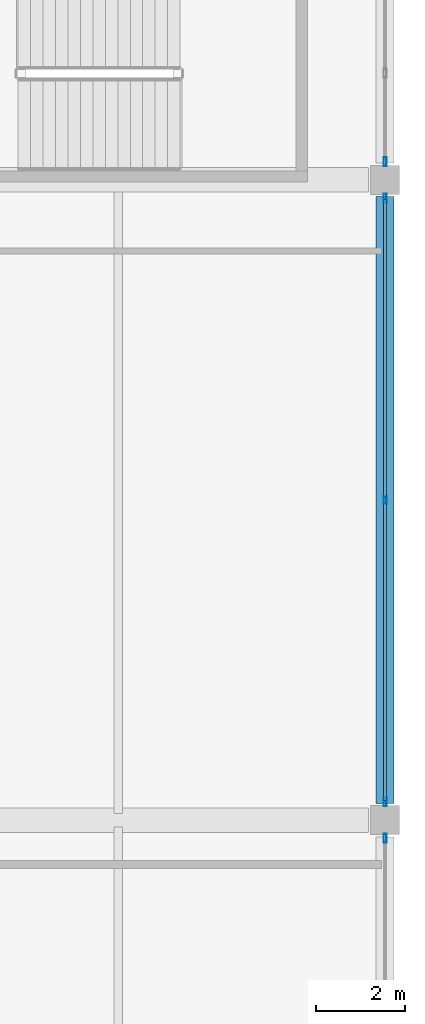
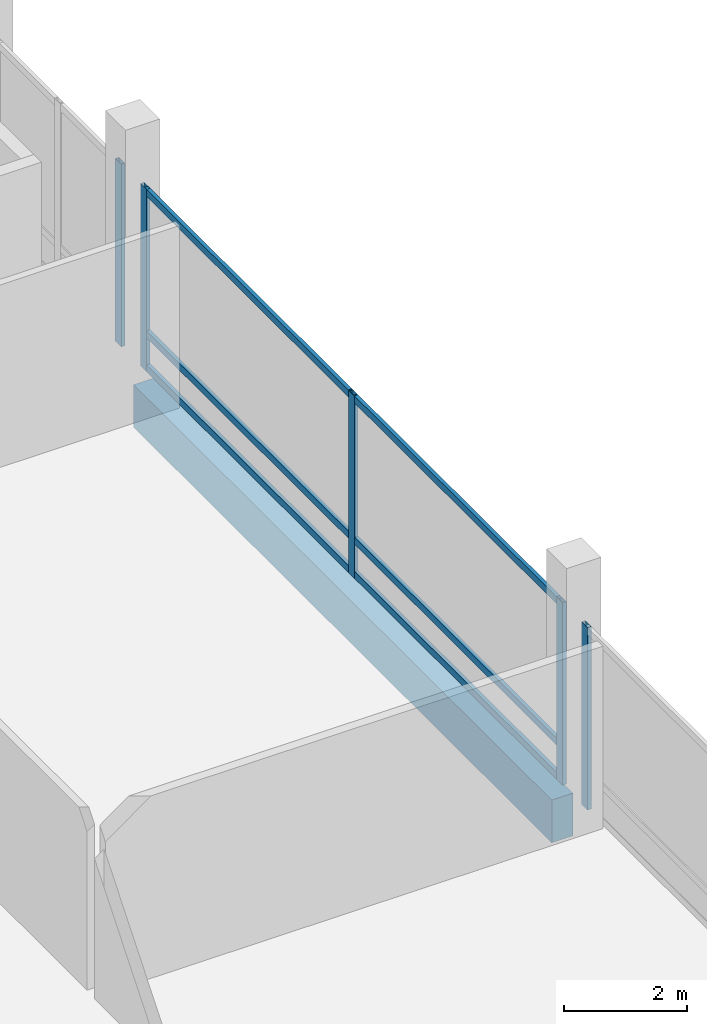
# One storey, part 111 of 220: 11 members, 1 beam, 3 elements without a shape of their own.
"""IFC4 building model written with IfcOpenShell, lengths in metres."""

from ifc_helpers import new_model, si_unit, direction, frame, origin, origin_2d, place, context, subcontext, project, spatial, rectangle, hollow_rectangle, extrude, material, material_profile, profile_set, type_object, element, aggregate, save


model = new_model("IFC4")

# Units and contexts
model_context = context("Model", 3, precision=1e-05, world=origin(), true_north=direction((0.0, 1.0)))
body_context = subcontext(model_context, "Body", "Model", "MODEL_VIEW")
ifc_project = project(units=[si_unit("LENGTHUNIT", "METRE"), si_unit("AREAUNIT", "SQUARE_METRE"), si_unit("VOLUMEUNIT", "CUBIC_METRE"), si_unit("PLANEANGLEUNIT", "RADIAN"), si_unit("MASSUNIT", "GRAM", prefix="KILO")], contexts=[model_context])

# Site, building, storey
site_placement = place(None, origin())
site = spatial("IfcSite", under=ifc_project, at=site_placement, CompositionType="ELEMENT")
building_placement = place(site_placement, origin())
building = spatial("IfcBuilding", under=site, at=building_placement, Name="Cendralis Lancet Convention Centre", CompositionType="ELEMENT")
storey_placement = place(building_placement, frame((0.0, 0.0, 5.39990234375)))
storey = spatial("IfcBuildingStorey", under=building, at=storey_placement, Name="L01", CompositionType="ELEMENT", Elevation=5.39990234375)

# Curtain wall, member
ifc_material_1 = material(Name="Anodised bronze architectural aluminium", Category="aluminium")
curtain_wall_type = type_object("IfcCurtainWallType", Name="ARC-CW-PL01", PredefinedType="USERDEFINED", material=ifc_material_1)
curtain_wall_1_placement = place(storey_placement, origin())
curtain_wall_1 = element("IfcCurtainWall", 1, at=curtain_wall_1_placement, inside=storey, type_object=curtain_wall_type, Name="L01 Curtain Wall CW-PL1 #122", ObjectType="CURTAIN WALL", PredefinedType="USERDEFINED")
ifc_material_profile_1 = material_profile(ifc_material_1, hollow_rectangle(XDim=0.070068359375, YDim=0.199951171875, WallThickness=0.0048828125, at=origin_2d()), Name="AL-MULL 70x200x5.0")
ifc_profile_set_1 = profile_set([ifc_material_profile_1], Name="Anodised bronze architectural aluminium")
member_type_1 = type_object("IfcMemberType", Name="ARC-CW-ML02", PredefinedType="MULLION", material=ifc_profile_set_1)
member_1_placement = place(storey_placement, frame((208.800048828125, 64.389892578125, 0.0), z_axis=(0.0, 0.0, 1.0), x_axis=(1.0, 0.0, 0.0)))
member_1 = element("IfcMember", 2, at=member_1_placement, type_object=member_type_1, Name="Mullion CW2-CW-PL1-L01-122-M0", PredefinedType="MULLION", context=body_context, shape_type="SweptSolid", body=[
    extrude(hollow_rectangle(XDim=0.070068359375, YDim=0.199951171875, WallThickness=0.0048828125, at=origin_2d()), origin(), (0.0, 0.0, 1.0), 3.635009765625),
])
aggregate(curtain_wall_1, [member_1])

# Curtain wall, members
curtain_wall_2_placement = place(storey_placement, origin())
curtain_wall_2 = element("IfcCurtainWall", 3, at=curtain_wall_2_placement, inside=storey, type_object=curtain_wall_type, Name="L01 Curtain Wall CW-PL1 #123", ObjectType="CURTAIN WALL", PredefinedType="USERDEFINED")
member_2_placement = place(storey_placement, frame((208.800048828125, 78.7900390625, 0.0), z_axis=(0.0, 0.0, 1.0), x_axis=(1.0, 0.0, 0.0)))
member_2 = element("IfcMember", 4, at=member_2_placement, type_object=member_type_1, Name="Mullion CW2-CW-PL1-L01-123-M0", PredefinedType="MULLION", context=body_context, shape_type="SweptSolid", body=[
    extrude(hollow_rectangle(XDim=0.070068359375, YDim=0.199951171875, WallThickness=0.0048828125, at=origin_2d()), origin(), (0.0, 0.0, 1.0), 3.635009765625),
])
member_3_placement = place(storey_placement, frame((208.800048828125, 72.0, 0.0), z_axis=(0.0, 0.0, 1.0), x_axis=(1.0, 0.0, 0.0)))
member_3 = element("IfcMember", 5, at=member_3_placement, type_object=member_type_1, Name="Mullion CW2-CW-PL1-L01-123-M1", PredefinedType="MULLION", context=body_context, shape_type="SweptSolid", body=[
    extrude(hollow_rectangle(XDim=0.070068359375, YDim=0.199951171875, WallThickness=0.0048828125, at=origin_2d()), origin(), (0.0, 0.0, 1.0), 3.635009765625),
])
member_4_placement = place(storey_placement, frame((208.800048828125, 65.2099609375, 0.0), z_axis=(0.0, 0.0, 1.0), x_axis=(1.0, 0.0, 0.0)))
member_4 = element("IfcMember", 6, at=member_4_placement, type_object=member_type_1, Name="Mullion CW2-CW-PL1-L01-123-M2", PredefinedType="MULLION", context=body_context, shape_type="SweptSolid", body=[
    extrude(hollow_rectangle(XDim=0.070068359375, YDim=0.199951171875, WallThickness=0.0048828125, at=origin_2d()), origin(), (0.0, 0.0, 1.0), 3.635009765625),
])

# Curtain wall, member
curtain_wall_3_placement = place(storey_placement, origin())
curtain_wall_3 = element("IfcCurtainWall", 7, at=curtain_wall_3_placement, inside=storey, type_object=curtain_wall_type, Name="L01 Curtain Wall CW-PL1 #124", ObjectType="CURTAIN WALL", PredefinedType="USERDEFINED")
member_5_placement = place(storey_placement, frame((208.800048828125, 79.610107421875, 0.0), z_axis=(0.0, 0.0, 1.0), x_axis=(1.0, 0.0, 0.0)))
member_5 = element("IfcMember", 8, at=member_5_placement, type_object=member_type_1, Name="Mullion CW2-CW-PL1-L01-124-M2", PredefinedType="MULLION", context=body_context, shape_type="SweptSolid", body=[
    extrude(hollow_rectangle(XDim=0.070068359375, YDim=0.199951171875, WallThickness=0.0048828125, at=origin_2d()), origin(), (0.0, 0.0, 1.0), 3.635009765625),
])
aggregate(curtain_wall_3, [member_5])

# Member
ifc_material_profile_2 = material_profile(ifc_material_1, hollow_rectangle(XDim=0.070068359375, YDim=0.139892578125, WallThickness=0.00390625, at=origin_2d()), Name="AL-TRAN 70x140x4.0")
ifc_profile_set_2 = profile_set([ifc_material_profile_2], Name="Anodised bronze architectural aluminium")
member_type_2 = type_object("IfcMemberType", Name="ARC-CW-TR02", PredefinedType="USERDEFINED", material=ifc_profile_set_2)
member_6_placement = place(storey_placement, frame((208.800048828125, 78.7548828125, 0.070068359375), z_axis=(0.0, -1.0, 0.0), x_axis=(1.0, 0.0, 0.0)))
member_6 = element("IfcMember", 9, at=member_6_placement, type_object=member_type_2, Name="Transom CW2-CW-PL1-L01-123-T0BOT", ObjectType="TRANSOM", PredefinedType="USERDEFINED", context=body_context, shape_type="SweptSolid", body=[
    extrude(hollow_rectangle(XDim=0.070068359375, YDim=0.139892578125, WallThickness=0.00390625, at=origin_2d()), origin(), (0.0, 0.0, 1.0), 6.684814453125),
])

member_7_placement = place(storey_placement, frame((208.800048828125, 78.7548828125, 0.75), z_axis=(0.0, -1.0, 0.0), x_axis=(1.0, 0.0, 0.0)))
member_7 = element("IfcMember", 10, at=member_7_placement, type_object=member_type_2, Name="Transom CW2-CW-PL1-L01-123-T0MID", ObjectType="TRANSOM", PredefinedType="USERDEFINED", context=body_context, shape_type="SweptSolid", body=[
    extrude(hollow_rectangle(XDim=0.070068359375, YDim=0.139892578125, WallThickness=0.00390625, at=origin_2d()), origin(), (0.0, 0.0, 1.0), 6.684814453125),
])

member_8_placement = place(storey_placement, frame((208.800048828125, 78.7548828125, 3.565185546875), z_axis=(0.0, -1.0, 0.0), x_axis=(1.0, 0.0, 0.0)))
member_8 = element("IfcMember", 11, at=member_8_placement, type_object=member_type_2, Name="Transom CW2-CW-PL1-L01-123-T0TOP", ObjectType="TRANSOM", PredefinedType="USERDEFINED", context=body_context, shape_type="SweptSolid", body=[
    extrude(hollow_rectangle(XDim=0.070068359375, YDim=0.139892578125, WallThickness=0.00390625, at=origin_2d()), origin(), (0.0, 0.0, 1.0), 6.684814453125),
])

member_9_placement = place(storey_placement, frame((208.800048828125, 71.929931640625, 0.070068359375), z_axis=(0.0, -1.0, 0.0), x_axis=(1.0, 0.0, 0.0)))
member_9 = element("IfcMember", 12, at=member_9_placement, type_object=member_type_2, Name="Transom CW2-CW-PL1-L01-123-T1BOT", ObjectType="TRANSOM", PredefinedType="USERDEFINED", context=body_context, shape_type="SweptSolid", body=[
    extrude(hollow_rectangle(XDim=0.070068359375, YDim=0.139892578125, WallThickness=0.00390625, at=origin_2d()), origin(), (0.0, 0.0, 1.0), 6.684814453125),
])

member_10_placement = place(storey_placement, frame((208.800048828125, 71.929931640625, 0.75), z_axis=(0.0, -1.0, 0.0), x_axis=(1.0, 0.0, 0.0)))
member_10 = element("IfcMember", 13, at=member_10_placement, type_object=member_type_2, Name="Transom CW2-CW-PL1-L01-123-T1MID", ObjectType="TRANSOM", PredefinedType="USERDEFINED", context=body_context, shape_type="SweptSolid", body=[
    extrude(hollow_rectangle(XDim=0.070068359375, YDim=0.139892578125, WallThickness=0.00390625, at=origin_2d()), origin(), (0.0, 0.0, 1.0), 6.684814453125),
])

member_11_placement = place(storey_placement, frame((208.800048828125, 71.929931640625, 3.565185546875), z_axis=(0.0, -1.0, 0.0), x_axis=(1.0, 0.0, 0.0)))
member_11 = element("IfcMember", 14, at=member_11_placement, type_object=member_type_2, Name="Transom CW2-CW-PL1-L01-123-T1TOP", ObjectType="TRANSOM", PredefinedType="USERDEFINED", context=body_context, shape_type="SweptSolid", body=[
    extrude(hollow_rectangle(XDim=0.070068359375, YDim=0.139892578125, WallThickness=0.00390625, at=origin_2d()), origin(), (0.0, 0.0, 1.0), 6.684814453125),
])

aggregate(curtain_wall_2, [member_2, member_3, member_4, member_6, member_7, member_8, member_9, member_10, member_11])

# Beam
ifc_material_2 = material(Name="Concrete G40 (C40/50)", Category="concrete")
ifc_material_profile_3 = material_profile(ifc_material_2, rectangle(XDim=0.39990234375, YDim=0.85009765625, at=origin_2d()), Name="RCB 400x850")
ifc_profile_set_3 = profile_set([ifc_material_profile_3], Name="Concrete G40 (C40/50)")
beam_type = type_object("IfcBeamType", Name="STR-SP-SP02", PredefinedType="SPANDREL", material=ifc_profile_set_3)
beam_placement = place(storey_placement, frame((208.800048828125, 65.175048828125, -0.704833984375), z_axis=(0.0, 1.0, 0.0), x_axis=(-1.0, 0.0, 0.0)))
element("IfcBeam", 15, at=beam_placement, inside=storey, type_object=beam_type, Name="L01 Beam SP02 #1439", PredefinedType="SPANDREL", context=body_context, shape_type="SweptSolid", body=[
    extrude(rectangle(XDim=0.39990234375, YDim=0.85009765625, at=origin_2d()), origin(), (0.0, 0.0, 1.0), 13.64990234375),
])

save(model, "model.ifc")
